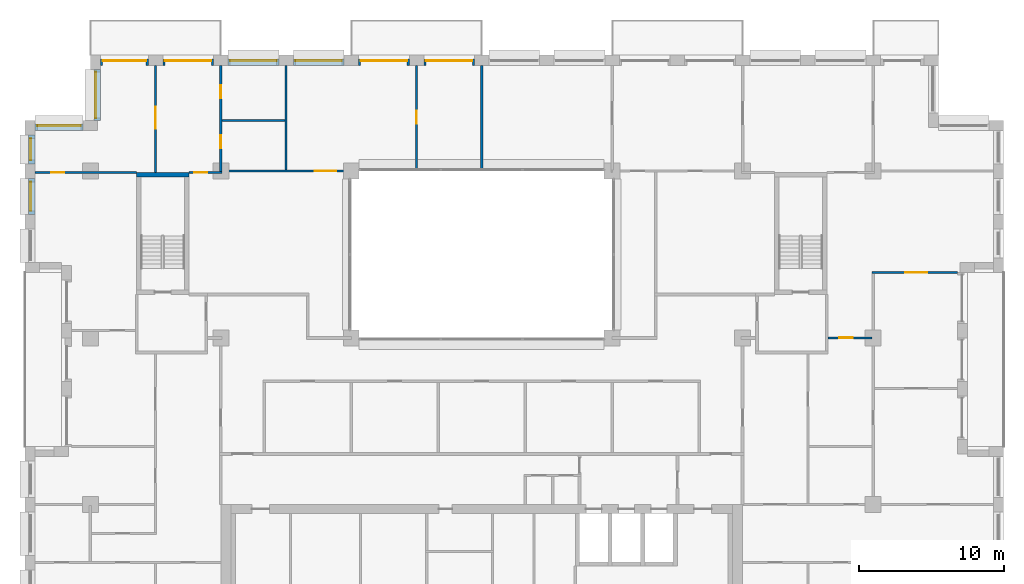
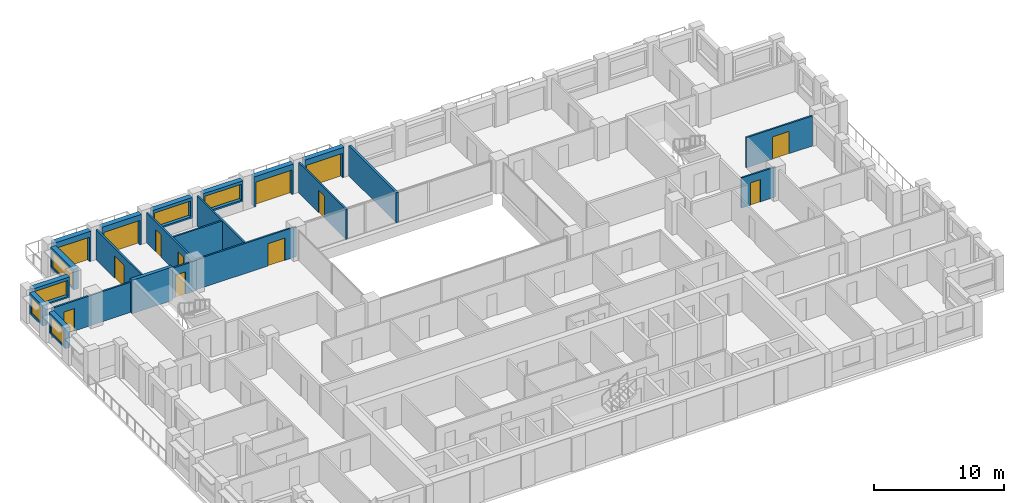
# One storey, part 12 of 15: 22 walls, 13 doors, 6 windows, 19 openings.
"""IFC4 building model written with IfcOpenShell, lengths in metres."""

import ifcopenshell
import ifcopenshell.guid

model = None  # the IFC model being written
_history = None  # IfcOwnerHistory: only IFC2X3 demands one
_inside = {}  # id of a spatial element -> (the spatial element, [elements in it])
_under = {}  # id of a project, library or spatial element -> (it, [spatial elements below it])
_declared = {}  # id of a project -> (the project, [libraries it declares])
_typed = {}  # id of a type object -> (the type object, [elements of that type])
_made_of = {}  # id of a material, layer set ... -> (it, [elements and type objects made of it])


def new_model(schema):
    """Start an empty IFC model of exactly this schema.

    Asked for "IFC4X3", IfcOpenShell would pick the latest addendum, in which some entities
    have other attributes; the version numbers below select the first issue.
    IFC2X3 requires an IfcOwnerHistory on every rooted entity: one is made here for all.
    """
    global model, _history
    if schema == "IFC4X3":
        model = ifcopenshell.file(schema_version=(4, 3, 0, 0))
    else:
        model = ifcopenshell.file(schema=schema)
    _inside.clear()
    _under.clear()
    _declared.clear()
    _typed.clear()
    _made_of.clear()
    _history = None
    if model.schema == "IFC2X3":
        org = make("IfcOrganization", Name="unknown")
        user = make(
            "IfcPersonAndOrganization",
            ThePerson=make("IfcPerson", FamilyName="unknown"),
            TheOrganization=org,
        )
        app = make(
            "IfcApplication",
            ApplicationDeveloper=org,
            Version="unknown",
            ApplicationFullName="unknown",
            ApplicationIdentifier="unknown",
        )
        _history = make(
            "IfcOwnerHistory",
            OwningUser=user,
            OwningApplication=app,
            ChangeAction="ADDED",
            CreationDate=0,
        )
    return model


def make(cls, **values):
    """One entity of the class cls with the attributes given. An attribute that is None is left unset."""
    return model.create_entity(
        cls, **{name: value for name, value in values.items() if value is not None}
    )


def rooted(cls, **values):
    """An entity with a GlobalId (a new one), such as an element, a storey or a relation."""
    return make(cls, GlobalId=ifcopenshell.guid.new(), OwnerHistory=_history, **values)


def si_unit(unit_type, name, prefix=None):
    """IfcSIUnit, for example si_unit("LENGTHUNIT", "METRE", prefix="MILLI")."""
    return make("IfcSIUnit", UnitType=unit_type, Prefix=prefix, Name=name)


def assignment(units):
    """IfcUnitAssignment: the units of a project."""
    return None if units is None else make("IfcUnitAssignment", Units=units)


def point(xyz):
    """IfcCartesianPoint."""
    return None if xyz is None else make("IfcCartesianPoint", Coordinates=xyz)


def direction(xyz):
    """IfcDirection."""
    return None if xyz is None else make("IfcDirection", DirectionRatios=xyz)


def frame(location, z_axis=None, x_axis=None):
    """IfcAxis2Placement3D, a coordinate frame: its origin and axes. An axis left out is left unset."""
    return make(
        "IfcAxis2Placement3D",
        Location=point(location),
        Axis=direction(z_axis),
        RefDirection=direction(x_axis),
    )


def frame_2d(location, x_axis=None):
    """IfcAxis2Placement2D, a coordinate frame in the plane: its origin and x axis."""
    return make(
        "IfcAxis2Placement2D", Location=point(location), RefDirection=direction(x_axis)
    )


def origin():
    """The frame at (0, 0, 0) with its axes left unset."""
    return frame((0.0, 0.0, 0.0))


def place(relative_to, where):
    """IfcLocalPlacement: puts the frame where relative to a parent placement (None: the world)."""
    return make(
        "IfcLocalPlacement", PlacementRelTo=relative_to, RelativePlacement=where
    )


def context(
    kind, dimensions, precision=None, world=None, true_north=None, identifier=None
):
    """IfcGeometricRepresentationContext, for example the 3D "Model" context."""
    return make(
        "IfcGeometricRepresentationContext",
        ContextIdentifier=identifier,
        ContextType=kind,
        CoordinateSpaceDimension=dimensions,
        Precision=precision,
        WorldCoordinateSystem=world,
        TrueNorth=true_north,
    )


def subcontext(parent, identifier, kind, view, scale=None):
    """IfcGeometricRepresentationSubContext, for example "Body" below "Model"."""
    return make(
        "IfcGeometricRepresentationSubContext",
        ContextIdentifier=identifier,
        ContextType=kind,
        ParentContext=parent,
        TargetScale=scale,
        TargetView=view,
    )


def project(units=None, contexts=None):
    """IfcProject with its units and contexts."""
    return rooted(
        "IfcProject",
        Name="project",
        RepresentationContexts=contexts,
        UnitsInContext=assignment(units),
    )


def spatial(cls, under=None, at=None, **own):
    """A site, building, storey or space (cls), placed at a placement, below another one or the project."""
    s = rooted(cls, ObjectPlacement=at, **own)
    if under is not None:
        _under.setdefault(under.id(), (under, []))[1].append(s)
    return s


def profile(cls, at=None, kind="AREA", **sizes):
    """A parametric profile (cls). Its sizes go by their IFC names, for example OverallWidth=200.0."""
    return make(cls, ProfileType=kind, Position=at, **sizes)


def rectangle(**sizes):
    """IfcRectangleProfileDef."""
    return profile("IfcRectangleProfileDef", **sizes)


def extrude(swept, where, along, depth):
    """IfcExtrudedAreaSolid: the profile swept, set in the frame where, extruded along a direction by depth."""
    return make(
        "IfcExtrudedAreaSolid",
        SweptArea=swept,
        Position=where,
        ExtrudedDirection=direction(along),
        Depth=depth,
    )


def shape(context_of_items, identifier, shape_type, items):
    """IfcShapeRepresentation: the items that make up one representation, for example the "Body"."""
    return make(
        "IfcShapeRepresentation",
        ContextOfItems=context_of_items,
        RepresentationIdentifier=identifier,
        RepresentationType=shape_type,
        Items=items,
    )


def material(Name=None, Category=None):
    """IfcMaterial."""
    return make("IfcMaterial", Name=Name, Category=Category)


def layer(
    of_material, thickness, ventilated=None, Name=None, Category=None, Priority=None
):
    """IfcMaterialLayer: one layer of a wall or slab, of a material (None: an air gap)."""
    return make(
        "IfcMaterialLayer",
        Material=of_material,
        LayerThickness=thickness,
        IsVentilated=ventilated,
        Name=Name,
        Category=Category,
        Priority=Priority,
    )


def layer_set(layers, Name=None):
    """IfcMaterialLayerSet."""
    return make("IfcMaterialLayerSet", MaterialLayers=layers, LayerSetName=Name)


def made_of(thing, what):
    """Note that an element or type object is made of a material, layer set ...; save() writes the relation."""
    if what is not None:
        _made_of.setdefault(what.id(), (what, []))[1].append(thing)
    return thing


def type_object(cls, material=None, **own):
    """A type object (cls), such as IfcWallType, which elements share."""
    return made_of(rooted(cls, **own), material)


def element(
    cls,
    number,
    at=None,
    inside=None,
    cuts=None,
    type_object=None,
    material=None,
    context=None,
    identifier="Body",
    shape_type=None,
    held_by="IfcProductDefinitionShape",
    body=None,
    shapes=None,
    **own,
):
    """One element of the class cls, such as IfcWall. Its Tag is "e" and its number.

    at: its placement. inside: the storey or other place that contains it. cuts: it is an
    opening in that element (IfcRelVoidsElement). A single representation is given by context,
    identifier, shape_type and body (its items); several are given by shapes. held_by: the class
    of the entity that holds the representations. save() writes the other relations.
    """
    e = rooted(cls, Tag="e%d" % number, ObjectPlacement=at, **own)
    if body is not None:
        shapes = [shape(context, identifier, shape_type, body)]
    if shapes is not None:
        e.Representation = make(held_by, Representations=shapes)
    if inside is not None:
        _inside.setdefault(inside.id(), (inside, []))[1].append(e)
    if cuts is not None:
        rooted(
            "IfcRelVoidsElement", RelatingBuildingElement=cuts, RelatedOpeningElement=e
        )
    if type_object is not None:
        _typed.setdefault(type_object.id(), (type_object, []))[1].append(e)
    return made_of(e, material)


def fill(opening, filler):
    """IfcRelFillsElement: the door or window that sits in an opening."""
    return rooted(
        "IfcRelFillsElement",
        RelatingOpeningElement=opening,
        RelatedBuildingElement=filler,
    )


def aggregate(whole, parts):
    """IfcRelAggregates: a whole, such as a stair, and the parts it consists of."""
    return rooted("IfcRelAggregates", RelatingObject=whole, RelatedObjects=parts)


def save(model, path):
    """Write the relations noted so far, then the file.

    IfcRelAggregates (storeys below a building ...), IfcRelContainedInSpatialStructure (elements
    in a storey), IfcRelDefinesByType, IfcRelAssociatesMaterial and IfcRelDeclares: one each for
    every whole, place, type object, material and project.
    """
    for whole, parts in _under.values():
        aggregate(whole, parts)
    for where, things in _inside.values():
        rooted(
            "IfcRelContainedInSpatialStructure",
            RelatedElements=things,
            RelatingStructure=where,
        )
    for kind, things in _typed.values():
        rooted("IfcRelDefinesByType", RelatedObjects=things, RelatingType=kind)
    for what, things in _made_of.values():
        rooted("IfcRelAssociatesMaterial", RelatedObjects=things, RelatingMaterial=what)
    for by, libraries in _declared.values():
        rooted("IfcRelDeclares", RelatingContext=by, RelatedDefinitions=libraries)
    model.write(path)


model = new_model("IFC4")

# Units and contexts
model_context = context("Model", 3, precision=1e-05, world=origin(), true_north=direction((0.0, 1.0)))
body_context = subcontext(model_context, "Body", "Model", "MODEL_VIEW")
ifc_project = project(units=[si_unit("LENGTHUNIT", "METRE"), si_unit("AREAUNIT", "SQUARE_METRE"), si_unit("VOLUMEUNIT", "CUBIC_METRE"), si_unit("PLANEANGLEUNIT", "RADIAN"), si_unit("MASSUNIT", "GRAM", prefix="KILO")], contexts=[model_context])

# Site, building, storey
site_placement = place(None, origin())
site = spatial("IfcSite", under=ifc_project, at=site_placement, CompositionType="ELEMENT")
building_placement = place(site_placement, origin())
building = spatial("IfcBuilding", under=site, at=building_placement, Name="Brigalow Station Residences", CompositionType="ELEMENT")
storey_placement = place(building_placement, frame((0.0, 0.0, 147.60009765625)))
storey = spatial("IfcBuildingStorey", under=building, at=storey_placement, Name="L42", CompositionType="ELEMENT", Elevation=147.60009765625)

# Wall, opening, door
ifc_material_1 = material(Name="Clay brick masonry", Category="masonry")
ifc_layer_1 = layer(ifc_material_1, 0.449951171875)
ifc_layer_set_1 = layer_set([ifc_layer_1], Name="BRICK INFILL WALL 450")
wall_type_1 = type_object("IfcWallType", Name="BRICK INFILL WALL 450", PredefinedType="SOLIDWALL", material=ifc_layer_set_1)
wall_1_placement = place(storey_placement, frame((35.5, 43.02490234375, 0.0), z_axis=(0.0, 0.0, 1.0), x_axis=(-1.0, 0.0, 0.0)))
wall_1 = element("IfcWall", 1, at=wall_1_placement, inside=storey, type_object=wall_type_1, Name="L42/ewall/W-L42-29", PredefinedType="SOLIDWALL", context=body_context, shape_type="SweptSolid", body=[
    extrude(rectangle(XDim=3.5, YDim=0.449951171875, at=frame_2d((1.75, 0.0))), origin(), (0.0, 0.0, 1.0), 2.829833984375),
])
opening_1_placement = place(wall_1_placement, frame((0.14990234375, 0.0, 0.0)))
opening_1 = element("IfcOpeningElement", 2, at=opening_1_placement, cuts=wall_1, Name="Opening D-B3200", PredefinedType="OPENING", context=body_context, shape_type="SweptSolid", body=[
    extrude(rectangle(XDim=3.199951171875, YDim=2.300048828125, at=frame_2d((1.60009765625, 1.14990234375))), frame((0.0, 0.23486328125, 0.0), z_axis=(0.0, -1.0, 0.0), x_axis=(1.0, 0.0, 0.0)), (0.0, 0.0, 1.0), 0.469970703125),
])
ifc_material_2 = material(Name="Anodised aluminium frame with double glazing", Category="aluminium")
door_type_1 = type_object("IfcDoorType", Name="BALCONY SLIDING DOOR 3200x2300", OperationType="SLIDING_TO_LEFT", PredefinedType="DOOR", material=ifc_material_2)
door_1_placement = place(opening_1_placement, origin())
door_1 = element("IfcDoor", 3, at=door_1_placement, inside=storey, type_object=door_type_1, Name="L42/balcony-door/W-L42-29", OperationType="SLIDING_TO_LEFT", OverallHeight=2.300048828125, OverallWidth=3.199951171875, PredefinedType="DOOR", context=body_context, shape_type="SweptSolid", body=[
    extrude(rectangle(XDim=3.199951171875, YDim=2.300048828125, at=frame_2d((1.60009765625, 1.14990234375))), frame((0.0, -0.06982421875, 0.0), z_axis=(0.0, -1.0, 0.0), x_axis=(1.0, 0.0, 0.0)), (0.0, 0.0, 1.0), 0.050048828125),
])
fill(opening_1, door_1)

wall_2_placement = place(storey_placement, frame((31.0, 43.02490234375, 0.0), z_axis=(0.0, 0.0, 1.0), x_axis=(-1.0, 0.0, 0.0)))
wall_2 = element("IfcWall", 4, at=wall_2_placement, inside=storey, type_object=wall_type_1, Name="L42/ewall/W-L42-30", PredefinedType="SOLIDWALL", context=body_context, shape_type="SweptSolid", body=[
    extrude(rectangle(XDim=3.5, YDim=0.449951171875, at=frame_2d((1.75, 0.0))), origin(), (0.0, 0.0, 1.0), 2.829833984375),
])
opening_2_placement = place(wall_2_placement, frame((0.14990234375, 0.0, 0.0)))
opening_2 = element("IfcOpeningElement", 5, at=opening_2_placement, cuts=wall_2, Name="Opening D-B3200", PredefinedType="OPENING", context=body_context, shape_type="SweptSolid", body=[
    extrude(rectangle(XDim=3.199951171875, YDim=2.300048828125, at=frame_2d((1.60009765625, 1.14990234375))), frame((0.0, 0.23486328125, 0.0), z_axis=(0.0, -1.0, 0.0), x_axis=(1.0, 0.0, 0.0)), (0.0, 0.0, 1.0), 0.469970703125),
])
door_2_placement = place(opening_2_placement, origin())
door_2 = element("IfcDoor", 6, at=door_2_placement, inside=storey, type_object=door_type_1, Name="L42/balcony-door/W-L42-30", OperationType="SLIDING_TO_LEFT", OverallHeight=2.300048828125, OverallWidth=3.199951171875, PredefinedType="DOOR", context=body_context, shape_type="SweptSolid", body=[
    extrude(rectangle(XDim=3.199951171875, YDim=2.300048828125, at=frame_2d((1.60009765625, 1.14990234375))), frame((0.0, -0.06982421875, 0.0), z_axis=(0.0, -1.0, 0.0), x_axis=(1.0, 0.0, 0.0)), (0.0, 0.0, 1.0), 0.050048828125),
])
fill(opening_2, door_2)

# Wall, opening, window
wall_3_placement = place(storey_placement, frame((26.5, 43.02490234375, 0.89990234375), z_axis=(0.0, 0.0, 1.0), x_axis=(-1.0, 0.0, 0.0)))
wall_3 = element("IfcWall", 7, at=wall_3_placement, inside=storey, type_object=wall_type_1, Name="L42/ewall/W-L42-31", PredefinedType="SOLIDWALL", context=body_context, shape_type="SweptSolid", body=[
    extrude(rectangle(XDim=3.5, YDim=0.449951171875, at=frame_2d((1.75, 0.0))), origin(), (0.0, 0.0, 1.0), 1.929931640625),
])
opening_3_placement = place(wall_3_placement, frame((0.14990234375, 0.0, 0.14990234375)))
opening_3 = element("IfcOpeningElement", 8, at=opening_3_placement, cuts=wall_3, Name="Opening WT-9", PredefinedType="OPENING", context=body_context, shape_type="SweptSolid", body=[
    extrude(rectangle(XDim=3.199951171875, YDim=1.5, at=frame_2d((1.60009765625, 0.75))), frame((0.0, 0.23486328125, 0.0), z_axis=(0.0, -1.0, 0.0), x_axis=(1.0, 0.0, 0.0)), (0.0, 0.0, 1.0), 0.469970703125),
])
ifc_material_3 = material(Name="Anodised aluminium frame with double glazing", Category="aluminium")
window_type_1 = type_object("IfcWindowType", Name="WINDOW 3200x1500", PartitioningType="SINGLE_PANEL", PredefinedType="WINDOW", material=ifc_material_3)
window_1_placement = place(opening_3_placement, origin())
window_1 = element("IfcWindow", 9, at=window_1_placement, inside=storey, type_object=window_type_1, Name="L42/window/W-L42-31", OverallHeight=1.5, OverallWidth=3.199951171875, PartitioningType="SINGLE_PANEL", PredefinedType="WINDOW", context=body_context, shape_type="SweptSolid", body=[
    extrude(rectangle(XDim=3.199951171875, YDim=1.5, at=frame_2d((1.60009765625, 0.75))), frame((0.0, -0.06494140625, 0.0), z_axis=(0.0, -1.0, 0.0), x_axis=(1.0, 0.0, 0.0)), (0.0, 0.0, 1.0), 0.06005859375),
])
fill(opening_3, window_1)

wall_4_placement = place(storey_placement, frame((22.0, 43.02490234375, 0.89990234375), z_axis=(0.0, 0.0, 1.0), x_axis=(-1.0, 0.0, 0.0)))
wall_4 = element("IfcWall", 10, at=wall_4_placement, inside=storey, type_object=wall_type_1, Name="L42/ewall/W-L42-32", PredefinedType="SOLIDWALL", context=body_context, shape_type="SweptSolid", body=[
    extrude(rectangle(XDim=3.5, YDim=0.449951171875, at=frame_2d((1.75, 0.0))), origin(), (0.0, 0.0, 1.0), 1.929931640625),
])
opening_4_placement = place(wall_4_placement, frame((0.14990234375, 0.0, 0.14990234375)))
opening_4 = element("IfcOpeningElement", 11, at=opening_4_placement, cuts=wall_4, Name="Opening WT-9", PredefinedType="OPENING", context=body_context, shape_type="SweptSolid", body=[
    extrude(rectangle(XDim=3.199951171875, YDim=1.5, at=frame_2d((1.60009765625, 0.75))), frame((0.0, 0.23486328125, 0.0), z_axis=(0.0, -1.0, 0.0), x_axis=(1.0, 0.0, 0.0)), (0.0, 0.0, 1.0), 0.469970703125),
])
window_2_placement = place(opening_4_placement, origin())
window_2 = element("IfcWindow", 12, at=window_2_placement, inside=storey, type_object=window_type_1, Name="L42/window/W-L42-32", OverallHeight=1.5, OverallWidth=3.199951171875, PartitioningType="SINGLE_PANEL", PredefinedType="WINDOW", context=body_context, shape_type="SweptSolid", body=[
    extrude(rectangle(XDim=3.199951171875, YDim=1.5, at=frame_2d((1.60009765625, 0.75))), frame((0.0, -0.06494140625, 0.0), z_axis=(0.0, -1.0, 0.0), x_axis=(1.0, 0.0, 0.0)), (0.0, 0.0, 1.0), 0.06005859375),
])
fill(opening_4, window_2)

# Wall, opening, door
wall_5_placement = place(storey_placement, frame((17.5, 43.02490234375, 0.0), z_axis=(0.0, 0.0, 1.0), x_axis=(-1.0, 0.0, 0.0)))
wall_5 = element("IfcWall", 13, at=wall_5_placement, inside=storey, type_object=wall_type_1, Name="L42/ewall/W-L42-33", PredefinedType="SOLIDWALL", context=body_context, shape_type="SweptSolid", body=[
    extrude(rectangle(XDim=3.5, YDim=0.449951171875, at=frame_2d((1.75, 0.0))), origin(), (0.0, 0.0, 1.0), 2.829833984375),
])
opening_5_placement = place(wall_5_placement, frame((0.14990234375, 0.0, 0.0)))
opening_5 = element("IfcOpeningElement", 14, at=opening_5_placement, cuts=wall_5, Name="Opening D-B3200", PredefinedType="OPENING", context=body_context, shape_type="SweptSolid", body=[
    extrude(rectangle(XDim=3.199951171875, YDim=2.300048828125, at=frame_2d((1.60009765625, 1.14990234375))), frame((0.0, 0.23486328125, 0.0), z_axis=(0.0, -1.0, 0.0), x_axis=(1.0, 0.0, 0.0)), (0.0, 0.0, 1.0), 0.469970703125),
])
door_3_placement = place(opening_5_placement, origin())
door_3 = element("IfcDoor", 15, at=door_3_placement, inside=storey, type_object=door_type_1, Name="L42/balcony-door/W-L42-33", OperationType="SLIDING_TO_LEFT", OverallHeight=2.300048828125, OverallWidth=3.199951171875, PredefinedType="DOOR", context=body_context, shape_type="SweptSolid", body=[
    extrude(rectangle(XDim=3.199951171875, YDim=2.300048828125, at=frame_2d((1.60009765625, 1.14990234375))), frame((0.0, -0.06982421875, 0.0), z_axis=(0.0, -1.0, 0.0), x_axis=(1.0, 0.0, 0.0)), (0.0, 0.0, 1.0), 0.050048828125),
])
fill(opening_5, door_3)

wall_6_placement = place(storey_placement, frame((13.0, 43.02490234375, 0.0), z_axis=(0.0, 0.0, 1.0), x_axis=(-1.0, 0.0, 0.0)))
wall_6 = element("IfcWall", 16, at=wall_6_placement, inside=storey, type_object=wall_type_1, Name="L42/ewall/W-L42-34", PredefinedType="SOLIDWALL", context=body_context, shape_type="SweptSolid", body=[
    extrude(rectangle(XDim=3.300048828125, YDim=0.449951171875, at=frame_2d((1.64990234375, 0.0))), origin(), (0.0, 0.0, 1.0), 2.829833984375),
])
opening_6_placement = place(wall_6_placement, frame((0.14990234375, 0.0, 0.0)))
opening_6 = element("IfcOpeningElement", 17, at=opening_6_placement, cuts=wall_6, Name="Opening D-B3000", PredefinedType="OPENING", context=body_context, shape_type="SweptSolid", body=[
    extrude(rectangle(XDim=3.0, YDim=2.300048828125, at=frame_2d((1.5, 1.14990234375))), frame((0.0, 0.23486328125, 0.0), z_axis=(0.0, -1.0, 0.0), x_axis=(1.0, 0.0, 0.0)), (0.0, 0.0, 1.0), 0.469970703125),
])
ifc_material_4 = material(Name="Anodised aluminium frame with double glazing", Category="aluminium")
door_type_2 = type_object("IfcDoorType", Name="BALCONY SLIDING DOOR 3000x2300", OperationType="SLIDING_TO_LEFT", PredefinedType="DOOR", material=ifc_material_4)
door_4_placement = place(opening_6_placement, origin())
door_4 = element("IfcDoor", 18, at=door_4_placement, inside=storey, type_object=door_type_2, Name="L42/balcony-door/W-L42-34", OperationType="SLIDING_TO_LEFT", OverallHeight=2.300048828125, OverallWidth=3.0, PredefinedType="DOOR", context=body_context, shape_type="SweptSolid", body=[
    extrude(rectangle(XDim=3.0, YDim=2.300048828125, at=frame_2d((1.5, 1.14990234375))), frame((0.0, -0.06982421875, 0.0), z_axis=(0.0, -1.0, 0.0), x_axis=(1.0, 0.0, 0.0)), (0.0, 0.0, 1.0), 0.050048828125),
])
fill(opening_6, door_4)

# Wall, opening, window
wall_7_placement = place(storey_placement, frame((9.47509765625, 42.5, 0.89990234375), z_axis=(0.0, 0.0, 1.0), x_axis=(0.0, -1.0, 0.0)))
wall_7 = element("IfcWall", 19, at=wall_7_placement, inside=storey, type_object=wall_type_1, Name="L42/ewall/W-L42-35", PredefinedType="SOLIDWALL", context=body_context, shape_type="SweptSolid", body=[
    extrude(rectangle(XDim=3.5, YDim=0.449951171875, at=frame_2d((1.75, 0.0))), origin(), (0.0, 0.0, 1.0), 1.929931640625),
])
opening_7_placement = place(wall_7_placement, frame((0.14990234375, 0.0, 0.14990234375)))
opening_7 = element("IfcOpeningElement", 20, at=opening_7_placement, cuts=wall_7, Name="Opening WT-9", PredefinedType="OPENING", context=body_context, shape_type="SweptSolid", body=[
    extrude(rectangle(XDim=3.199951171875, YDim=1.5, at=frame_2d((1.60009765625, 0.75))), frame((0.0, 0.23486328125, 0.0), z_axis=(0.0, -1.0, 0.0), x_axis=(1.0, 0.0, 0.0)), (0.0, 0.0, 1.0), 0.469970703125),
])
window_3_placement = place(opening_7_placement, origin())
window_3 = element("IfcWindow", 21, at=window_3_placement, inside=storey, type_object=window_type_1, Name="L42/window/W-L42-35", OverallHeight=1.5, OverallWidth=3.199951171875, PartitioningType="SINGLE_PANEL", PredefinedType="WINDOW", context=body_context, shape_type="SweptSolid", body=[
    extrude(rectangle(XDim=3.199951171875, YDim=1.5, at=frame_2d((1.60009765625, 0.75))), frame((0.0, -0.06494140625, 0.0), z_axis=(0.0, -1.0, 0.0), x_axis=(1.0, 0.0, 0.0)), (0.0, 0.0, 1.0), 0.06005859375),
])
fill(opening_7, window_3)

wall_8_placement = place(storey_placement, frame((8.5, 38.52490234375, 0.89990234375), z_axis=(0.0, 0.0, 1.0), x_axis=(-1.0, 0.0, 0.0)))
wall_8 = element("IfcWall", 22, at=wall_8_placement, inside=storey, type_object=wall_type_1, Name="L42/ewall/W-L42-36", PredefinedType="SOLIDWALL", context=body_context, shape_type="SweptSolid", body=[
    extrude(rectangle(XDim=3.300048828125, YDim=0.449951171875, at=frame_2d((1.64990234375, 0.0))), origin(), (0.0, 0.0, 1.0), 1.929931640625),
])
opening_8_placement = place(wall_8_placement, frame((0.14990234375, 0.0, 0.14990234375)))
opening_8 = element("IfcOpeningElement", 23, at=opening_8_placement, cuts=wall_8, Name="Opening WT-2", PredefinedType="OPENING", context=body_context, shape_type="SweptSolid", body=[
    extrude(rectangle(XDim=3.0, YDim=1.5, at=frame_2d((1.5, 0.75))), frame((0.0, 0.23486328125, 0.0), z_axis=(0.0, -1.0, 0.0), x_axis=(1.0, 0.0, 0.0)), (0.0, 0.0, 1.0), 0.469970703125),
])
ifc_material_5 = material(Name="Anodised aluminium frame with double glazing", Category="aluminium")
window_type_2 = type_object("IfcWindowType", Name="WINDOW 3000x1500", PartitioningType="SINGLE_PANEL", PredefinedType="WINDOW", material=ifc_material_5)
window_4_placement = place(opening_8_placement, origin())
window_4 = element("IfcWindow", 24, at=window_4_placement, inside=storey, type_object=window_type_2, Name="L42/window/W-L42-36", OverallHeight=1.5, OverallWidth=3.0, PartitioningType="SINGLE_PANEL", PredefinedType="WINDOW", context=body_context, shape_type="SweptSolid", body=[
    extrude(rectangle(XDim=3.0, YDim=1.5, at=frame_2d((1.5, 0.75))), frame((0.0, -0.06494140625, 0.0), z_axis=(0.0, -1.0, 0.0), x_axis=(1.0, 0.0, 0.0)), (0.0, 0.0, 1.0), 0.06005859375),
])
fill(opening_8, window_4)

wall_9_placement = place(storey_placement, frame((4.97509765625, 38.0, 0.89990234375), z_axis=(0.0, 0.0, 1.0), x_axis=(0.0, -1.0, 0.0)))
wall_9 = element("IfcWall", 25, at=wall_9_placement, inside=storey, type_object=wall_type_1, Name="L42/ewall/W-L42-37", PredefinedType="SOLIDWALL", context=body_context, shape_type="SweptSolid", body=[
    extrude(rectangle(XDim=2.0, YDim=0.449951171875, at=frame_2d((1.0, 0.0))), origin(), (0.0, 0.0, 1.0), 1.929931640625),
])
opening_9_placement = place(wall_9_placement, frame((0.25, 0.0, 0.14990234375)))
opening_9 = element("IfcOpeningElement", 26, at=opening_9_placement, cuts=wall_9, Name="Opening WT-1", PredefinedType="OPENING", context=body_context, shape_type="SweptSolid", body=[
    extrude(rectangle(XDim=1.5, YDim=1.5, at=frame_2d((0.75, 0.75))), frame((0.0, 0.23486328125, 0.0), z_axis=(0.0, -1.0, 0.0), x_axis=(1.0, 0.0, 0.0)), (0.0, 0.0, 1.0), 0.469970703125),
])
ifc_material_6 = material(Name="Anodised aluminium frame with double glazing", Category="aluminium")
window_type_3 = type_object("IfcWindowType", Name="WINDOW 1500x1500", PartitioningType="SINGLE_PANEL", PredefinedType="WINDOW", material=ifc_material_6)
window_5_placement = place(opening_9_placement, origin())
window_5 = element("IfcWindow", 27, at=window_5_placement, inside=storey, type_object=window_type_3, Name="L42/window/W-L42-37", OverallHeight=1.5, OverallWidth=1.5, PartitioningType="SINGLE_PANEL", PredefinedType="WINDOW", context=body_context, shape_type="SweptSolid", body=[
    extrude(rectangle(XDim=1.5, YDim=1.5, at=frame_2d((0.75, 0.75))), frame((0.0, -0.06494140625, 0.0), z_axis=(0.0, -1.0, 0.0), x_axis=(1.0, 0.0, 0.0)), (0.0, 0.0, 1.0), 0.06005859375),
])
fill(opening_9, window_5)

wall_10_placement = place(storey_placement, frame((4.97509765625, 35.0, 0.89990234375), z_axis=(0.0, 0.0, 1.0), x_axis=(0.0, -1.0, 0.0)))
wall_10 = element("IfcWall", 28, at=wall_10_placement, inside=storey, type_object=wall_type_1, Name="L42/ewall/W-L42-38", PredefinedType="SOLIDWALL", context=body_context, shape_type="SweptSolid", body=[
    extrude(rectangle(XDim=2.5, YDim=0.449951171875, at=frame_2d((1.25, 0.0))), origin(), (0.0, 0.0, 1.0), 1.929931640625),
])
opening_10_placement = place(wall_10_placement, frame((0.25, 0.0, 0.14990234375)))
opening_10 = element("IfcOpeningElement", 29, at=opening_10_placement, cuts=wall_10, Name="Opening WT-7", PredefinedType="OPENING", context=body_context, shape_type="SweptSolid", body=[
    extrude(rectangle(XDim=2.0, YDim=1.5, at=frame_2d((1.0, 0.75))), frame((0.0, 0.23486328125, 0.0), z_axis=(0.0, -1.0, 0.0), x_axis=(1.0, 0.0, 0.0)), (0.0, 0.0, 1.0), 0.469970703125),
])
ifc_material_7 = material(Name="Anodised aluminium frame with double glazing", Category="aluminium")
window_type_4 = type_object("IfcWindowType", Name="WINDOW 2000x1500", PartitioningType="SINGLE_PANEL", PredefinedType="WINDOW", material=ifc_material_7)
window_6_placement = place(opening_10_placement, origin())
window_6 = element("IfcWindow", 30, at=window_6_placement, inside=storey, type_object=window_type_4, Name="L42/window/W-L42-38", OverallHeight=1.5, OverallWidth=2.0, PartitioningType="SINGLE_PANEL", PredefinedType="WINDOW", context=body_context, shape_type="SweptSolid", body=[
    extrude(rectangle(XDim=2.0, YDim=1.5, at=frame_2d((1.0, 0.75))), frame((0.0, -0.06494140625, 0.0), z_axis=(0.0, -1.0, 0.0), x_axis=(1.0, 0.0, 0.0)), (0.0, 0.0, 1.0), 0.06005859375),
])
fill(opening_10, window_6)

# Wall
ifc_material_8 = material(Name="Concrete C65", Category="concrete")
ifc_layer_2 = layer(ifc_material_8, 0.300048828125)
ifc_layer_set_2 = layer_set([ifc_layer_2], Name="CORE SHEAR WALL 300 C65")
wall_type_2 = type_object("IfcWallType", Name="CORE SHEAR WALL 300 C65", PredefinedType="SHEAR", material=ifc_layer_set_2)
wall_11_placement = place(storey_placement, frame((12.199951171875, 35.25, 0.0), z_axis=(0.0, 0.0, 1.0), x_axis=(1.0, 0.0, 0.0)))
element("IfcWall", 31, at=wall_11_placement, inside=storey, type_object=wall_type_2, Name="CORE WALL ST-S1-N L42", PredefinedType="SHEAR", context=body_context, shape_type="SweptSolid", body=[
    extrude(rectangle(XDim=3.60009765625, YDim=0.300048828125, at=frame_2d((1.800048828125, 0.0))), origin(), (0.0, 0.0, 1.0), 3.14990234375),
])

# Wall, opening, door
ifc_material_9 = material(Name="Plasterboard on steel stud partition", Category="steel")
ifc_layer_3 = layer(ifc_material_9, 0.14990234375)
ifc_layer_set_3 = layer_set([ifc_layer_3], Name="FLAT PARTITION 150")
wall_type_3 = type_object("IfcWallType", Name="FLAT PARTITION 150", PredefinedType="PARTITIONING", material=ifc_layer_set_3)
wall_12_placement = place(storey_placement, frame((59.89990234375, 24.0, 0.0), z_axis=(0.0, 0.0, 1.0), x_axis=(1.0, 0.0, 0.0)))
wall_12 = element("IfcWall", 32, at=wall_12_placement, inside=storey, type_object=wall_type_3, Name="PW-3A01", PredefinedType="PARTITIONING", context=body_context, shape_type="SweptSolid", body=[
    extrude(rectangle(XDim=3.025146484375, YDim=0.14990234375, at=frame_2d((1.5126953125, 0.0))), origin(), (0.0, 0.0, 1.0), 2.829833984375),
])
opening_11_placement = place(wall_12_placement, frame((0.77490234375, 0.0, 0.0)))
opening_11 = element("IfcOpeningElement", 33, at=opening_11_placement, cuts=wall_12, Name="Opening D-3A30", PredefinedType="OPENING", context=body_context, shape_type="SweptSolid", body=[
    extrude(rectangle(XDim=0.89990234375, YDim=2.10009765625, at=frame_2d((0.449951171875, 1.050048828125))), frame((0.0, 0.0849609375, 0.0), z_axis=(0.0, -1.0, 0.0), x_axis=(1.0, 0.0, 0.0)), (0.0, 0.0, 1.0), 0.169921875),
])
ifc_material_10 = material(Name="Solid-core timber door leaf", Category="wood")
door_type_3 = type_object("IfcDoorType", Name="INTERNAL DOOR 900 x 2100", OperationType="SINGLE_SWING_LEFT", PredefinedType="DOOR", material=ifc_material_10)
door_5_placement = place(opening_11_placement, frame((0.89990234375, 0.0, 0.0), z_axis=(0.0, 0.0, 1.0), x_axis=(-1.0, 0.0, 0.0)))
door_5 = element("IfcDoor", 34, at=door_5_placement, inside=storey, type_object=door_type_3, Name="D-3A30", OperationType="SINGLE_SWING_RIGHT", OverallHeight=2.10009765625, OverallWidth=0.89990234375, PredefinedType="DOOR", context=body_context, shape_type="SweptSolid", body=[
    extrude(rectangle(XDim=0.89990234375, YDim=2.10009765625, at=frame_2d((0.449951171875, 1.050048828125))), frame((0.0, 0.02490234375, 0.0), z_axis=(0.0, -1.0, 0.0), x_axis=(1.0, 0.0, 0.0)), (0.0, 0.0, 1.0), 0.050048828125),
])
fill(opening_11, door_5)

wall_13_placement = place(storey_placement, frame((5.199951171875, 35.39990234375, 0.0), z_axis=(0.0, 0.0, 1.0), x_axis=(1.0, 0.0, 0.0)))
wall_13 = element("IfcWall", 35, at=wall_13_placement, inside=storey, type_object=wall_type_3, Name="PW-3A17", PredefinedType="PARTITIONING", context=body_context, shape_type="SweptSolid", body=[
    extrude(rectangle(XDim=7.0, YDim=0.14990234375, at=frame_2d((3.5, 0.0))), origin(), (0.0, 0.0, 1.0), 2.829833984375),
])
opening_12_placement = place(wall_13_placement, frame((1.10009765625, 0.0, 0.0)))
opening_12 = element("IfcOpeningElement", 36, at=opening_12_placement, cuts=wall_13, Name="Opening D-3A10", PredefinedType="OPENING", context=body_context, shape_type="SweptSolid", body=[
    extrude(rectangle(XDim=0.89990234375, YDim=2.10009765625, at=frame_2d((0.449951171875, 1.050048828125))), frame((0.0, 0.0849609375, 0.0), z_axis=(0.0, -1.0, 0.0), x_axis=(1.0, 0.0, 0.0)), (0.0, 0.0, 1.0), 0.169921875),
])
door_6_placement = place(opening_12_placement, origin())
door_6 = element("IfcDoor", 37, at=door_6_placement, inside=storey, type_object=door_type_3, Name="D-3A10", OperationType="SINGLE_SWING_LEFT", OverallHeight=2.10009765625, OverallWidth=0.89990234375, PredefinedType="DOOR", context=body_context, shape_type="SweptSolid", body=[
    extrude(rectangle(XDim=0.89990234375, YDim=2.10009765625, at=frame_2d((0.449951171875, 1.050048828125))), frame((0.0, 0.02490234375, 0.0), z_axis=(0.0, -1.0, 0.0), x_axis=(1.0, 0.0, 0.0)), (0.0, 0.0, 1.0), 0.050048828125),
])
fill(opening_12, door_6)

wall_14_placement = place(storey_placement, frame((15.800048828125, 35.39990234375, 0.0), z_axis=(0.0, 0.0, 1.0), x_axis=(1.0, 0.0, 0.0)))
wall_14 = element("IfcWall", 38, at=wall_14_placement, inside=storey, type_object=wall_type_3, Name="PW-3A18", PredefinedType="PARTITIONING", context=body_context, shape_type="SweptSolid", body=[
    extrude(rectangle(XDim=2.27490234375, YDim=0.14990234375, at=frame_2d((1.137451171875, 0.0))), origin(), (0.0, 0.0, 1.0), 2.829833984375),
])
opening_13_placement = place(wall_14_placement, frame((0.375, 0.0, 0.0)))
opening_13 = element("IfcOpeningElement", 39, at=opening_13_placement, cuts=wall_14, Name="Opening D-3A14", PredefinedType="OPENING", context=body_context, shape_type="SweptSolid", body=[
    extrude(rectangle(XDim=0.89990234375, YDim=2.10009765625, at=frame_2d((0.449951171875, 1.050048828125))), frame((0.0, 0.0849609375, 0.0), z_axis=(0.0, -1.0, 0.0), x_axis=(1.0, 0.0, 0.0)), (0.0, 0.0, 1.0), 0.169921875),
])
door_7_placement = place(opening_13_placement, origin())
door_7 = element("IfcDoor", 40, at=door_7_placement, inside=storey, type_object=door_type_3, Name="D-3A14", OperationType="SINGLE_SWING_RIGHT", OverallHeight=2.10009765625, OverallWidth=0.89990234375, PredefinedType="DOOR", context=body_context, shape_type="SweptSolid", body=[
    extrude(rectangle(XDim=0.89990234375, YDim=2.10009765625, at=frame_2d((0.449951171875, 1.050048828125))), frame((0.0, 0.02490234375, 0.0), z_axis=(0.0, -1.0, 0.0), x_axis=(1.0, 0.0, 0.0)), (0.0, 0.0, 1.0), 0.050048828125),
])
fill(opening_13, door_7)

# Wall
wall_15_placement = place(storey_placement, frame((18.074951171875, 39.0, 0.0), z_axis=(0.0, 0.0, 1.0), x_axis=(1.0, 0.0, 0.0)))
element("IfcWall", 41, at=wall_15_placement, inside=storey, type_object=wall_type_3, Name="PW-3A21", PredefinedType="PARTITIONING", context=body_context, shape_type="SweptSolid", body=[
    extrude(rectangle(XDim=4.35009765625, YDim=0.14990234375, at=frame_2d((2.175048828125, 0.0))), origin(), (0.0, 0.0, 1.0), 2.829833984375),
])

# Wall, opening, door
wall_16_placement = place(storey_placement, frame((18.074951171875, 35.5, 0.0), z_axis=(0.0, 0.0, 1.0), x_axis=(1.0, 0.0, 0.0)))
wall_16 = element("IfcWall", 42, at=wall_16_placement, inside=storey, type_object=wall_type_3, Name="PW-3A22", PredefinedType="PARTITIONING", context=body_context, shape_type="SweptSolid", body=[
    extrude(rectangle(XDim=8.925048828125, YDim=0.14990234375, at=frame_2d((4.46240234375, 0.0))), origin(), (0.0, 0.0, 1.0), 2.829833984375),
])
opening_14_placement = place(wall_16_placement, frame((6.39990234375, 0.0, 0.0)))
opening_14 = element("IfcOpeningElement", 43, at=opening_14_placement, cuts=wall_16, Name="Opening D-3A15", PredefinedType="OPENING", context=body_context, shape_type="SweptSolid", body=[
    extrude(rectangle(XDim=1.5, YDim=2.10009765625, at=frame_2d((0.75, 1.050048828125))), frame((0.0, 0.0849609375, 0.0), z_axis=(0.0, -1.0, 0.0), x_axis=(1.0, 0.0, 0.0)), (0.0, 0.0, 1.0), 0.169921875),
])
ifc_material_11 = material(Name="Solid-core timber door leaf", Category="wood")
door_type_4 = type_object("IfcDoorType", Name="INTERNAL DOUBLE DOOR 1500 x 2100", OperationType="DOUBLE_DOOR_SINGLE_SWING", PredefinedType="DOOR", material=ifc_material_11)
door_8_placement = place(opening_14_placement, origin())
door_8 = element("IfcDoor", 44, at=door_8_placement, inside=storey, type_object=door_type_4, Name="D-3A15", OperationType="DOUBLE_DOOR_SINGLE_SWING", OverallHeight=2.10009765625, OverallWidth=1.5, PredefinedType="DOOR", context=body_context, shape_type="SweptSolid", body=[
    extrude(rectangle(XDim=1.5, YDim=2.10009765625, at=frame_2d((0.75, 1.050048828125))), frame((0.0, 0.02490234375, 0.0), z_axis=(0.0, -1.0, 0.0), x_axis=(1.0, 0.0, 0.0)), (0.0, 0.0, 1.0), 0.050048828125),
])
fill(opening_14, door_8)

wall_17_placement = place(storey_placement, frame((62.925048828125, 28.5, 0.0), z_axis=(0.0, 0.0, 1.0), x_axis=(1.0, 0.0, 0.0)))
wall_17 = element("IfcWall", 45, at=wall_17_placement, inside=storey, type_object=wall_type_3, Name="PW-3A27", PredefinedType="PARTITIONING", context=body_context, shape_type="SweptSolid", body=[
    extrude(rectangle(XDim=5.875, YDim=0.14990234375, at=frame_2d((2.9375, 0.0))), origin(), (0.0, 0.0, 1.0), 2.829833984375),
])
opening_15_placement = place(wall_17_placement, frame((2.300048828125, 0.0, 0.0)))
opening_15 = element("IfcOpeningElement", 46, at=opening_15_placement, cuts=wall_17, Name="Opening D-3A29", PredefinedType="OPENING", context=body_context, shape_type="SweptSolid", body=[
    extrude(rectangle(XDim=1.5, YDim=2.10009765625, at=frame_2d((0.75, 1.050048828125))), frame((0.0, 0.0849609375, 0.0), z_axis=(0.0, -1.0, 0.0), x_axis=(1.0, 0.0, 0.0)), (0.0, 0.0, 1.0), 0.169921875),
])
door_9_placement = place(opening_15_placement, frame((1.5, 0.0, 0.0), z_axis=(0.0, 0.0, 1.0), x_axis=(-1.0, 0.0, 0.0)))
door_9 = element("IfcDoor", 47, at=door_9_placement, inside=storey, type_object=door_type_4, Name="D-3A29", OperationType="DOUBLE_DOOR_SINGLE_SWING", OverallHeight=2.10009765625, OverallWidth=1.5, PredefinedType="DOOR", context=body_context, shape_type="SweptSolid", body=[
    extrude(rectangle(XDim=1.5, YDim=2.10009765625, at=frame_2d((0.75, 1.050048828125))), frame((0.0, 0.02490234375, 0.0), z_axis=(0.0, -1.0, 0.0), x_axis=(1.0, 0.0, 0.0)), (0.0, 0.0, 1.0), 0.050048828125),
])
fill(opening_15, door_9)

# Wall, openings, doors
wall_18_placement = place(storey_placement, frame((18.0, 35.47509765625, 0.0), z_axis=(0.0, 0.0, 1.0), x_axis=(0.0, 1.0, 0.0)))
wall_18 = element("IfcWall", 48, at=wall_18_placement, inside=storey, type_object=wall_type_3, Name="PW-3A29", PredefinedType="PARTITIONING", context=body_context, shape_type="SweptSolid", body=[
    extrude(rectangle(XDim=7.324951171875, YDim=0.14990234375, at=frame_2d((3.66259765625, 0.0))), origin(), (0.0, 0.0, 1.0), 2.829833984375),
])
opening_16_placement = place(wall_18_placement, frame((5.050048828125, 0.0, 0.0)))
opening_16 = element("IfcOpeningElement", 49, at=opening_16_placement, cuts=wall_18, Name="Opening D-3A12", PredefinedType="OPENING", context=body_context, shape_type="SweptSolid", body=[
    extrude(rectangle(XDim=0.89990234375, YDim=2.10009765625, at=frame_2d((0.449951171875, 1.050048828125))), frame((0.0, 0.0849609375, 0.0), z_axis=(0.0, -1.0, 0.0), x_axis=(1.0, 0.0, 0.0)), (0.0, 0.0, 1.0), 0.169921875),
])
opening_17_placement = place(wall_18_placement, frame((1.60009765625, 0.0, 0.0)))
opening_17 = element("IfcOpeningElement", 50, at=opening_17_placement, cuts=wall_18, Name="Opening D-3A13", PredefinedType="OPENING", context=body_context, shape_type="SweptSolid", body=[
    extrude(rectangle(XDim=0.89990234375, YDim=2.10009765625, at=frame_2d((0.449951171875, 1.050048828125))), frame((0.0, 0.0849609375, 0.0), z_axis=(0.0, -1.0, 0.0), x_axis=(1.0, 0.0, 0.0)), (0.0, 0.0, 1.0), 0.169921875),
])
door_10_placement = place(opening_16_placement, frame((0.89990234375, 0.0, 0.0), z_axis=(0.0, 0.0, 1.0), x_axis=(-1.0, 0.0, 0.0)))
door_10 = element("IfcDoor", 51, at=door_10_placement, inside=storey, type_object=door_type_3, Name="D-3A12", OperationType="SINGLE_SWING_LEFT", OverallHeight=2.10009765625, OverallWidth=0.89990234375, PredefinedType="DOOR", context=body_context, shape_type="SweptSolid", body=[
    extrude(rectangle(XDim=0.89990234375, YDim=2.10009765625, at=frame_2d((0.449951171875, 1.050048828125))), frame((0.0, 0.02490234375, 0.0), z_axis=(0.0, -1.0, 0.0), x_axis=(1.0, 0.0, 0.0)), (0.0, 0.0, 1.0), 0.050048828125),
])
fill(opening_16, door_10)
door_11_placement = place(opening_17_placement, frame((0.89990234375, 0.0, 0.0), z_axis=(0.0, 0.0, 1.0), x_axis=(-1.0, 0.0, 0.0)))
door_11 = element("IfcDoor", 52, at=door_11_placement, inside=storey, type_object=door_type_3, Name="D-3A13", OperationType="SINGLE_SWING_LEFT", OverallHeight=2.10009765625, OverallWidth=0.89990234375, PredefinedType="DOOR", context=body_context, shape_type="SweptSolid", body=[
    extrude(rectangle(XDim=0.89990234375, YDim=2.10009765625, at=frame_2d((0.449951171875, 1.050048828125))), frame((0.0, 0.02490234375, 0.0), z_axis=(0.0, -1.0, 0.0), x_axis=(1.0, 0.0, 0.0)), (0.0, 0.0, 1.0), 0.050048828125),
])
fill(opening_17, door_11)

# Wall, opening, door
wall_19_placement = place(storey_placement, frame((13.5, 35.39990234375, 0.0), z_axis=(0.0, 0.0, 1.0), x_axis=(0.0, 1.0, 0.0)))
wall_19 = element("IfcWall", 53, at=wall_19_placement, inside=storey, type_object=wall_type_3, Name="PW-3A40", PredefinedType="PARTITIONING", context=body_context, shape_type="SweptSolid", body=[
    extrude(rectangle(XDim=7.400146484375, YDim=0.14990234375, at=frame_2d((3.7001953125, 0.0))), origin(), (0.0, 0.0, 1.0), 2.829833984375),
])
opening_18_placement = place(wall_19_placement, frame((3.02490234375, 0.0, 0.0)))
opening_18 = element("IfcOpeningElement", 54, at=opening_18_placement, cuts=wall_19, Name="Opening D-3A11", PredefinedType="OPENING", context=body_context, shape_type="SweptSolid", body=[
    extrude(rectangle(XDim=1.5, YDim=2.10009765625, at=frame_2d((0.75, 1.050048828125))), frame((0.0, 0.0849609375, 0.0), z_axis=(0.0, -1.0, 0.0), x_axis=(1.0, 0.0, 0.0)), (0.0, 0.0, 1.0), 0.169921875),
])
door_12_placement = place(opening_18_placement, frame((1.5, 0.0, 0.0), z_axis=(0.0, 0.0, 1.0), x_axis=(-1.0, 0.0, 0.0)))
door_12 = element("IfcDoor", 55, at=door_12_placement, inside=storey, type_object=door_type_4, Name="D-3A11", OperationType="DOUBLE_DOOR_SINGLE_SWING", OverallHeight=2.10009765625, OverallWidth=1.5, PredefinedType="DOOR", context=body_context, shape_type="SweptSolid", body=[
    extrude(rectangle(XDim=1.5, YDim=2.10009765625, at=frame_2d((0.75, 1.050048828125))), frame((0.0, 0.02490234375, 0.0), z_axis=(0.0, -1.0, 0.0), x_axis=(1.0, 0.0, 0.0)), (0.0, 0.0, 1.0), 0.050048828125),
])
fill(opening_18, door_12)

# Wall
wall_20_placement = place(storey_placement, frame((22.5, 35.574951171875, 0.0), z_axis=(0.0, 0.0, 1.0), x_axis=(0.0, 1.0, 0.0)))
element("IfcWall", 56, at=wall_20_placement, inside=storey, type_object=wall_type_3, Name="PW-3A42", PredefinedType="PARTITIONING", context=body_context, shape_type="SweptSolid", body=[
    extrude(rectangle(XDim=7.22509765625, YDim=0.14990234375, at=frame_2d((3.612548828125, 0.0))), origin(), (0.0, 0.0, 1.0), 2.829833984375),
])

# Wall, opening, door
wall_21_placement = place(storey_placement, frame((31.5, 35.5, 0.0), z_axis=(0.0, 0.0, 1.0), x_axis=(0.0, 1.0, 0.0)))
wall_21 = element("IfcWall", 57, at=wall_21_placement, inside=storey, type_object=wall_type_3, Name="PW-3A43", PredefinedType="PARTITIONING", context=body_context, shape_type="SweptSolid", body=[
    extrude(rectangle(XDim=7.300048828125, YDim=0.14990234375, at=frame_2d((3.64990234375, 0.0))), origin(), (0.0, 0.0, 1.0), 2.829833984375),
])
opening_19_placement = place(wall_21_placement, frame((3.27490234375, 0.0, 0.0)))
opening_19 = element("IfcOpeningElement", 58, at=opening_19_placement, cuts=wall_21, Name="Opening D-3A16", PredefinedType="OPENING", context=body_context, shape_type="SweptSolid", body=[
    extrude(rectangle(XDim=0.89990234375, YDim=2.10009765625, at=frame_2d((0.449951171875, 1.050048828125))), frame((0.0, 0.0849609375, 0.0), z_axis=(0.0, -1.0, 0.0), x_axis=(1.0, 0.0, 0.0)), (0.0, 0.0, 1.0), 0.169921875),
])
door_13_placement = place(opening_19_placement, frame((0.89990234375, 0.0, 0.0), z_axis=(0.0, 0.0, 1.0), x_axis=(-1.0, 0.0, 0.0)))
door_13 = element("IfcDoor", 59, at=door_13_placement, inside=storey, type_object=door_type_3, Name="D-3A16", OperationType="SINGLE_SWING_LEFT", OverallHeight=2.10009765625, OverallWidth=0.89990234375, PredefinedType="DOOR", context=body_context, shape_type="SweptSolid", body=[
    extrude(rectangle(XDim=0.89990234375, YDim=2.10009765625, at=frame_2d((0.449951171875, 1.050048828125))), frame((0.0, 0.02490234375, 0.0), z_axis=(0.0, -1.0, 0.0), x_axis=(1.0, 0.0, 0.0)), (0.0, 0.0, 1.0), 0.050048828125),
])
fill(opening_19, door_13)

# Wall
ifc_material_12 = material(Name="Plasterboard on steel stud partition", Category="steel")
ifc_layer_4 = layer(ifc_material_12, 0.199951171875)
ifc_layer_set_4 = layer_set([ifc_layer_4], Name="PARTY AND CORRIDOR WALL 200")
wall_type_4 = type_object("IfcWallType", Name="PARTY AND CORRIDOR WALL 200", PredefinedType="PARTITIONING", material=ifc_layer_set_4)
wall_22_placement = place(storey_placement, frame((36.0, 35.5, 0.0), z_axis=(0.0, 0.0, 1.0), x_axis=(0.0, 1.0, 0.0)))
element("IfcWall", 60, at=wall_22_placement, inside=storey, type_object=wall_type_4, Name="PW-3A44", PredefinedType="PARTITIONING", context=body_context, shape_type="SweptSolid", body=[
    extrude(rectangle(XDim=7.300048828125, YDim=0.199951171875, at=frame_2d((3.64990234375, 0.0))), origin(), (0.0, 0.0, 1.0), 2.829833984375),
])

save(model, "model.ifc")
